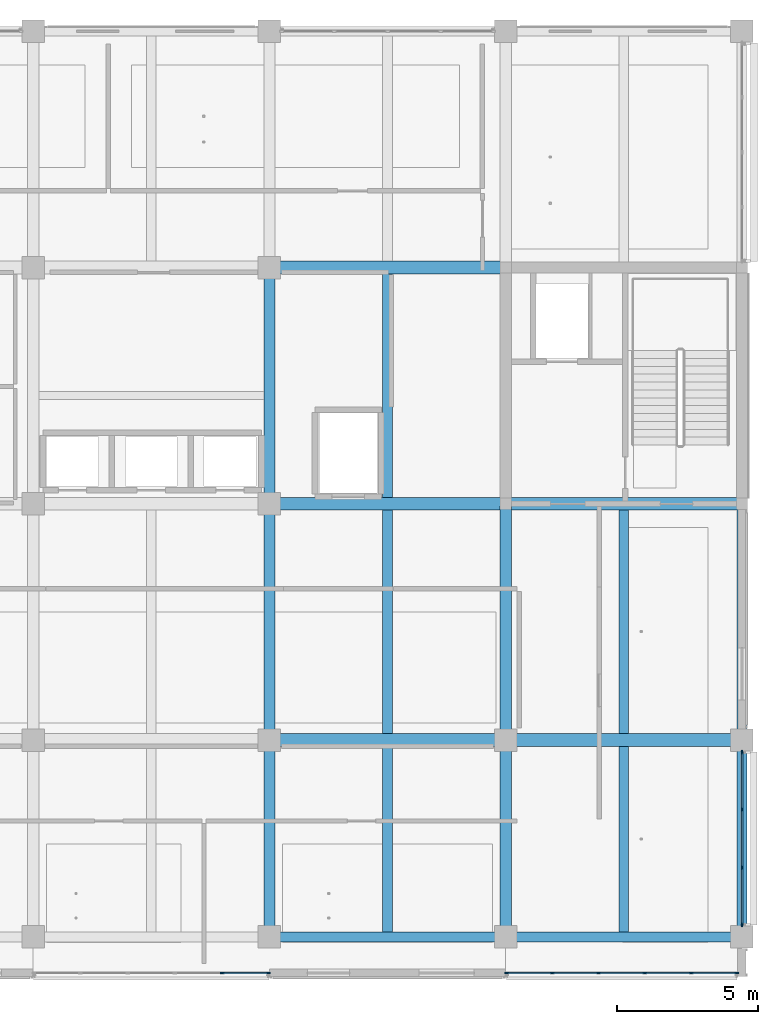
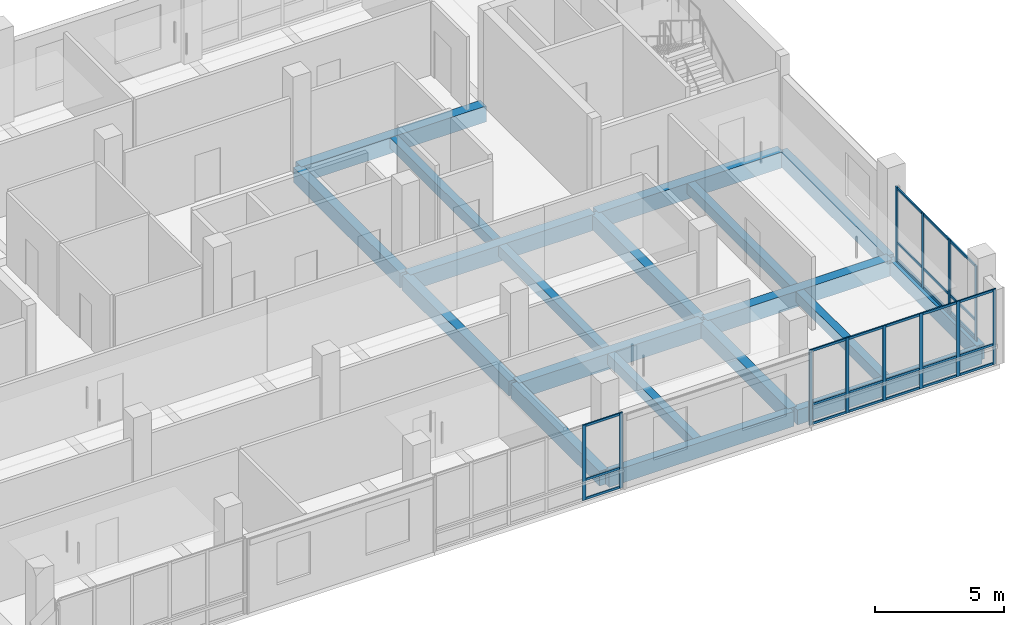
# One storey, part 6 of 34: 39 members, 19 beams, 3 elements without a shape of their own.
"""IFC4 building model written with IfcOpenShell, lengths in metres."""

from ifc_helpers import new_model, si_unit, direction, frame, origin, origin_2d, place, context, subcontext, project, spatial, rectangle, extrude, material, layer, layer_set, material_profile, profile_set, type_object, element, aggregate, save


model = new_model("IFC4")

# Units and contexts
model_context = context("Model", 3, precision=1e-05, world=origin(), true_north=direction((0.0, 1.0)))
body_context = subcontext(model_context, "Body", "Model", "MODEL_VIEW")
ifc_project = project(units=[si_unit("LENGTHUNIT", "METRE"), si_unit("AREAUNIT", "SQUARE_METRE"), si_unit("VOLUMEUNIT", "CUBIC_METRE"), si_unit("PLANEANGLEUNIT", "RADIAN"), si_unit("MASSUNIT", "GRAM", prefix="KILO")], contexts=[model_context])

# Site, building, storey
site_placement = place(None, origin())
site = spatial("IfcSite", under=ifc_project, at=site_placement, CompositionType="ELEMENT")
building_placement = place(site_placement, origin())
building = spatial("IfcBuilding", under=site, at=building_placement, Name="Telukmera Botanical Conservatory", CompositionType="ELEMENT")
storey_placement = place(building_placement, frame((0.0, 0.0, 37.5)))
storey = spatial("IfcBuildingStorey", under=building, at=storey_placement, Name="L08", CompositionType="ELEMENT", Elevation=37.5)

# Beams
ifc_material_1 = material(Name="Concrete C40/50", Category="concrete")
ifc_material_profile_1 = material_profile(ifc_material_1, rectangle(XDim=0.35009765625, YDim=0.5, at=origin_2d()), Name="RC 350x500")
ifc_profile_set_1 = profile_set([ifc_material_profile_1], Name="Concrete C40/50")
beam_type_1 = type_object("IfcBeamType", Name="Beam_B22", PredefinedType="JOIST", material=ifc_profile_set_1)
beam_1_placement = place(storey_placement, frame((88.199951171875, 10.77490234375, -0.25), z_axis=(0.0, 1.0, 0.0), x_axis=(-1.0, 0.0, 0.0)))
element("IfcBeam", 1, at=beam_1_placement, inside=storey, type_object=beam_type_1, Name="Tower Secondary Floor Joist L08", PredefinedType="JOIST", context=body_context, shape_type="SweptSolid", body=[
    extrude(rectangle(XDim=0.35009765625, YDim=0.5, at=origin_2d()), origin(), (0.0, 0.0, 1.0), 6.60009765625),
])
for number, where, z_axis, x_axis, name in (
    (2, (88.199951171875, 17.824951171875, -0.25), (0.0, 1.0, 0.0), (-1.0, 0.0, 0.0), "Tower Secondary Floor Joist L08"),
    (3, (88.199951171875, 26.22509765625, -0.25), (0.0, 1.0, 0.0), (-1.0, 0.0, 0.0), "Tower Secondary Floor Joist L08"),
):
    element("IfcBeam", number, at=place(storey_placement, frame(where, z_axis=z_axis, x_axis=x_axis)), inside=storey, type_object=beam_type_1, Name=name, PredefinedType="JOIST", context=body_context, shape_type="SweptSolid", body=[
        extrude(rectangle(XDim=0.35009765625, YDim=0.5, at=origin_2d()), origin(), (0.0, 0.0, 1.0), 7.949951171875),
    ])
beam_2_placement = place(storey_placement, frame((96.60009765625, 10.77490234375, -0.25), z_axis=(0.0, 1.0, 0.0), x_axis=(-1.0, 0.0, 0.0)))
element("IfcBeam", 4, at=beam_2_placement, inside=storey, type_object=beam_type_1, Name="Tower Secondary Floor Joist L08", PredefinedType="JOIST", context=body_context, shape_type="SweptSolid", body=[
    extrude(rectangle(XDim=0.35009765625, YDim=0.5, at=origin_2d()), origin(), (0.0, 0.0, 1.0), 6.60009765625),
])
beam_3_placement = place(storey_placement, frame((96.60009765625, 17.824951171875, -0.25), z_axis=(0.0, 1.0, 0.0), x_axis=(-1.0, 0.0, 0.0)))
element("IfcBeam", 5, at=beam_3_placement, inside=storey, type_object=beam_type_1, Name="Tower Secondary Floor Joist L08", PredefinedType="JOIST", context=body_context, shape_type="SweptSolid", body=[
    extrude(rectangle(XDim=0.35009765625, YDim=0.5, at=origin_2d()), origin(), (0.0, 0.0, 1.0), 7.949951171875),
])
ifc_material_profile_2 = material_profile(ifc_material_1, rectangle(XDim=0.449951171875, YDim=0.75, at=origin_2d()), Name="RC 450x750")
ifc_profile_set_2 = profile_set([ifc_material_profile_2], Name="Concrete C40/50")
beam_type_2 = type_object("IfcBeamType", Name="Beam_B6", PredefinedType="BEAM", material=ifc_profile_set_2)
for number, where, z_axis, x_axis, name in (
    (6, (84.080078125, 17.60009765625, -0.375), (1.0, 0.0, 0.0), (0.0, 1.0, 0.0), "Tower Grid Beam L08"),
    (7, (92.47998046875, 17.60009765625, -0.375), (1.0, 0.0, 0.0), (0.0, 1.0, 0.0), "Tower Grid Beam L08"),
    (8, (84.080078125, 26.0, -0.375), (1.0, 0.0, 0.0), (0.0, 1.0, 0.0), "Tower Grid Beam L08"),
    (9, (92.47998046875, 26.0, -0.375), (1.0, 0.0, 0.0), (0.0, 1.0, 0.0), "Tower Grid Beam L08"),
    (10, (84.080078125, 34.39990234375, -0.375), (1.0, 0.0, 0.0), (0.0, 1.0, 0.0), "Tower Grid Beam L08"),
):
    element("IfcBeam", number, at=place(storey_placement, frame(where, z_axis=z_axis, x_axis=x_axis)), inside=storey, type_object=beam_type_2, Name=name, PredefinedType="BEAM", context=body_context, shape_type="SweptSolid", body=[
        extrude(rectangle(XDim=0.449951171875, YDim=0.75, at=origin_2d()), origin(), (0.0, 0.0, 1.0), 8.239990234375),
    ])
ifc_material_profile_3 = material_profile(ifc_material_1, rectangle(XDim=0.39990234375, YDim=0.699951171875, at=origin_2d()), Name="RC 400x700")
ifc_profile_set_3 = profile_set([ifc_material_profile_3], Name="Concrete C40/50")
beam_type_3 = type_object("IfcBeamType", Name="Beam_B7", PredefinedType="BEAM", material=ifc_profile_set_3)
beam_4_placement = place(storey_placement, frame((84.0, 10.679931640625, -0.35009765625), z_axis=(0.0, 1.0, 0.0), x_axis=(-1.0, 0.0, 0.0)))
element("IfcBeam", 11, at=beam_4_placement, inside=storey, type_object=beam_type_3, Name="Tower Transverse Beam L08", PredefinedType="BEAM", context=body_context, shape_type="SweptSolid", body=[
    extrude(rectangle(XDim=0.39990234375, YDim=0.699951171875, at=origin_2d()), origin(), (0.0, 0.0, 1.0), 6.840087890625),
])
for number, where, z_axis, x_axis, name in (
    (12, (84.0, 17.679931640625, -0.35009765625), (0.0, 1.0, 0.0), (-1.0, 0.0, 0.0), "Tower Transverse Beam L08"),
    (13, (84.0, 26.080078125, -0.35009765625), (0.0, 1.0, 0.0), (-1.0, 0.0, 0.0), "Tower Transverse Beam L08"),
):
    element("IfcBeam", number, at=place(storey_placement, frame(where, z_axis=z_axis, x_axis=x_axis)), inside=storey, type_object=beam_type_3, Name=name, PredefinedType="BEAM", context=body_context, shape_type="SweptSolid", body=[
        extrude(rectangle(XDim=0.39990234375, YDim=0.699951171875, at=origin_2d()), origin(), (0.0, 0.0, 1.0), 8.239990234375),
    ])
beam_5_placement = place(storey_placement, frame((92.39990234375, 10.679931640625, -0.35009765625), z_axis=(0.0, 1.0, 0.0), x_axis=(-1.0, 0.0, 0.0)))
element("IfcBeam", 14, at=beam_5_placement, inside=storey, type_object=beam_type_3, Name="Tower Transverse Beam L08", PredefinedType="BEAM", context=body_context, shape_type="SweptSolid", body=[
    extrude(rectangle(XDim=0.39990234375, YDim=0.699951171875, at=origin_2d()), origin(), (0.0, 0.0, 1.0), 6.840087890625),
])
beam_6_placement = place(storey_placement, frame((92.39990234375, 17.679931640625, -0.35009765625), z_axis=(0.0, 1.0, 0.0), x_axis=(-1.0, 0.0, 0.0)))
element("IfcBeam", 15, at=beam_6_placement, inside=storey, type_object=beam_type_3, Name="Tower Transverse Beam L08", PredefinedType="BEAM", context=body_context, shape_type="SweptSolid", body=[
    extrude(rectangle(XDim=0.39990234375, YDim=0.699951171875, at=origin_2d()), origin(), (0.0, 0.0, 1.0), 8.239990234375),
])
ifc_material_2 = material(Name="Precast concrete C40/50", Category="concrete")
ifc_material_profile_4 = material_profile(ifc_material_2, rectangle(XDim=0.35009765625, YDim=0.699951171875, at=origin_2d()), Name="PC 350x700")
ifc_profile_set_4 = profile_set([ifc_material_profile_4], Name="Precast concrete C40/50")
beam_type_4 = type_object("IfcBeamType", Name="Beam_SP2", PredefinedType="SPANDREL", material=ifc_profile_set_4)
for number, where, z_axis, x_axis, name in (
    (16, (84.080078125, 10.60009765625, -0.35009765625), (1.0, 0.0, 0.0), (0.0, 1.0, 0.0), "Tower Grid Beam L08"),
    (17, (92.47998046875, 10.60009765625, -0.35009765625), (1.0, 0.0, 0.0), (0.0, 1.0, 0.0), "Tower Grid Beam L08"),
):
    element("IfcBeam", number, at=place(storey_placement, frame(where, z_axis=z_axis, x_axis=x_axis)), inside=storey, type_object=beam_type_4, Name=name, PredefinedType="SPANDREL", context=body_context, shape_type="SweptSolid", body=[
        extrude(rectangle(XDim=0.35009765625, YDim=0.699951171875, at=origin_2d()), origin(), (0.0, 0.0, 1.0), 8.239990234375),
    ])
beam_7_placement = place(storey_placement, frame((100.800048828125, 10.679931640625, -0.35009765625), z_axis=(0.0, 1.0, 0.0), x_axis=(-1.0, 0.0, 0.0)))
element("IfcBeam", 18, at=beam_7_placement, inside=storey, type_object=beam_type_4, Name="Tower Transverse Beam L08", PredefinedType="SPANDREL", context=body_context, shape_type="SweptSolid", body=[
    extrude(rectangle(XDim=0.35009765625, YDim=0.699951171875, at=origin_2d()), origin(), (0.0, 0.0, 1.0), 6.840087890625),
])
beam_8_placement = place(storey_placement, frame((100.800048828125, 17.679931640625, -0.35009765625), z_axis=(0.0, 1.0, 0.0), x_axis=(-1.0, 0.0, 0.0)))
element("IfcBeam", 19, at=beam_8_placement, inside=storey, type_object=beam_type_4, Name="Tower Transverse Beam L08", PredefinedType="SPANDREL", context=body_context, shape_type="SweptSolid", body=[
    extrude(rectangle(XDim=0.35009765625, YDim=0.699951171875, at=origin_2d()), origin(), (0.0, 0.0, 1.0), 8.239990234375),
])

# Curtain wall, members
ifc_material_3 = material(Name="Anodised aluminium 6063-T6", Category="aluminium")
ifc_layer = layer(ifc_material_3, 0.179931640625)
ifc_layer_set = layer_set([ifc_layer], Name="Anodised aluminium 6063-T6")
curtain_wall_type = type_object("IfcCurtainWallType", Name="Tower Research Laboratory Unitised Curtain Wall", PredefinedType="USERDEFINED", material=ifc_layer_set)
curtain_wall_1_placement = place(storey_placement, origin())
curtain_wall_1 = element("IfcCurtainWall", 20, at=curtain_wall_1_placement, inside=storey, type_object=curtain_wall_type, Name="Unitised Curtain Wall CW15 V4:L08:S4", ObjectType="UNITISED CURTAIN WALL", PredefinedType="USERDEFINED")
ifc_material_profile_5 = material_profile(ifc_material_3, rectangle(XDim=0.06005859375, YDim=0.139892578125, at=origin_2d()), Name="ALU MULL 60x140")
ifc_profile_set_5 = profile_set([ifc_material_profile_5], Name="Anodised aluminium 6063-T6")
member_type_1 = type_object("IfcMemberType", Name="Curtain Wall Extruded Mullion 60x140", PredefinedType="MULLION", material=ifc_profile_set_5)
member_1_placement = place(storey_placement, frame((82.31884765625, 9.320068359375, 0.0), z_axis=(0.0, 0.0, 1.0), x_axis=(0.0, 1.0, 0.0)))
member_1 = element("IfcMember", 21, at=member_1_placement, type_object=member_type_1, Name="CW15 mullion 5", PredefinedType="MULLION", context=body_context, shape_type="SweptSolid", body=[
    extrude(rectangle(XDim=0.06005859375, YDim=0.139892578125, at=origin_2d()), origin(), (0.0, 0.0, 1.0), 3.550048828125),
])
member_2_placement = place(storey_placement, frame((83.968017578125, 9.320068359375, 0.0), z_axis=(0.0, 0.0, 1.0), x_axis=(0.0, 1.0, 0.0)))
member_2 = element("IfcMember", 22, at=member_2_placement, type_object=member_type_1, Name="CW15 mullion 6", PredefinedType="MULLION", context=body_context, shape_type="SweptSolid", body=[
    extrude(rectangle(XDim=0.06005859375, YDim=0.139892578125, at=origin_2d()), origin(), (0.0, 0.0, 1.0), 3.550048828125),
])

curtain_wall_2_placement = place(storey_placement, origin())
curtain_wall_2 = element("IfcCurtainWall", 23, at=curtain_wall_2_placement, inside=storey, type_object=curtain_wall_type, Name="Unitised Curtain Wall CW15 V4:L08:S6", ObjectType="UNITISED CURTAIN WALL", PredefinedType="USERDEFINED")
member_3_placement = place(storey_placement, frame((92.431884765625, 9.320068359375, 0.0), z_axis=(0.0, 0.0, 1.0), x_axis=(0.0, 1.0, 0.0)))
member_3 = element("IfcMember", 24, at=member_3_placement, type_object=member_type_1, Name="CW15 mullion 1", PredefinedType="MULLION", context=body_context, shape_type="SweptSolid", body=[
    extrude(rectangle(XDim=0.06005859375, YDim=0.139892578125, at=origin_2d()), origin(), (0.0, 0.0, 1.0), 3.550048828125),
])
member_4_placement = place(storey_placement, frame((94.05126953125, 9.320068359375, 0.0), z_axis=(0.0, 0.0, 1.0), x_axis=(0.0, 1.0, 0.0)))
member_4 = element("IfcMember", 25, at=member_4_placement, type_object=member_type_1, Name="CW15 mullion 2", PredefinedType="MULLION", context=body_context, shape_type="SweptSolid", body=[
    extrude(rectangle(XDim=0.06005859375, YDim=0.139892578125, at=origin_2d()), origin(), (0.0, 0.0, 1.0), 3.550048828125),
])
member_5_placement = place(storey_placement, frame((95.700439453125, 9.320068359375, 0.0), z_axis=(0.0, 0.0, 1.0), x_axis=(0.0, 1.0, 0.0)))
member_5 = element("IfcMember", 26, at=member_5_placement, type_object=member_type_1, Name="CW15 mullion 3", PredefinedType="MULLION", context=body_context, shape_type="SweptSolid", body=[
    extrude(rectangle(XDim=0.06005859375, YDim=0.139892578125, at=origin_2d()), origin(), (0.0, 0.0, 1.0), 3.550048828125),
])
member_6_placement = place(storey_placement, frame((97.349609375, 9.320068359375, 0.0), z_axis=(0.0, 0.0, 1.0), x_axis=(0.0, 1.0, 0.0)))
member_6 = element("IfcMember", 27, at=member_6_placement, type_object=member_type_1, Name="CW15 mullion 4", PredefinedType="MULLION", context=body_context, shape_type="SweptSolid", body=[
    extrude(rectangle(XDim=0.06005859375, YDim=0.139892578125, at=origin_2d()), origin(), (0.0, 0.0, 1.0), 3.550048828125),
])
member_7_placement = place(storey_placement, frame((98.998779296875, 9.320068359375, 0.0), z_axis=(0.0, 0.0, 1.0), x_axis=(0.0, 1.0, 0.0)))
member_7 = element("IfcMember", 28, at=member_7_placement, type_object=member_type_1, Name="CW15 mullion 5", PredefinedType="MULLION", context=body_context, shape_type="SweptSolid", body=[
    extrude(rectangle(XDim=0.06005859375, YDim=0.139892578125, at=origin_2d()), origin(), (0.0, 0.0, 1.0), 3.550048828125),
])
member_8_placement = place(storey_placement, frame((100.617919921875, 9.320068359375, 0.0), z_axis=(0.0, 0.0, 1.0), x_axis=(0.0, 1.0, 0.0)))
member_8 = element("IfcMember", 29, at=member_8_placement, type_object=member_type_1, Name="CW15 mullion 6", PredefinedType="MULLION", context=body_context, shape_type="SweptSolid", body=[
    extrude(rectangle(XDim=0.06005859375, YDim=0.139892578125, at=origin_2d()), origin(), (0.0, 0.0, 1.0), 3.550048828125),
])

curtain_wall_3_placement = place(storey_placement, origin())
curtain_wall_3 = element("IfcCurtainWall", 30, at=curtain_wall_3_placement, inside=storey, type_object=curtain_wall_type, Name="Unitised Curtain Wall CW15 V4:L08:E1", ObjectType="UNITISED CURTAIN WALL", PredefinedType="USERDEFINED")
member_9_placement = place(storey_placement, frame((100.800048828125, 11.031982421875, 0.0), z_axis=(0.0, 0.0, 1.0), x_axis=(-1.0, 0.0, 0.0)))
member_9 = element("IfcMember", 31, at=member_9_placement, type_object=member_type_1, Name="CW15 mullion 1", PredefinedType="MULLION", context=body_context, shape_type="SweptSolid", body=[
    extrude(rectangle(XDim=0.06005859375, YDim=0.139892578125, at=origin_2d()), origin(), (0.0, 0.0, 1.0), 3.550048828125),
])
member_10_placement = place(storey_placement, frame((100.800048828125, 13.0673828125, 0.0), z_axis=(0.0, 0.0, 1.0), x_axis=(-1.0, 0.0, 0.0)))
member_10 = element("IfcMember", 32, at=member_10_placement, type_object=member_type_1, Name="CW15 mullion 2", PredefinedType="MULLION", context=body_context, shape_type="SweptSolid", body=[
    extrude(rectangle(XDim=0.06005859375, YDim=0.139892578125, at=origin_2d()), origin(), (0.0, 0.0, 1.0), 3.550048828125),
])
member_11_placement = place(storey_placement, frame((100.800048828125, 15.132568359375, 0.0), z_axis=(0.0, 0.0, 1.0), x_axis=(-1.0, 0.0, 0.0)))
member_11 = element("IfcMember", 33, at=member_11_placement, type_object=member_type_1, Name="CW15 mullion 3", PredefinedType="MULLION", context=body_context, shape_type="SweptSolid", body=[
    extrude(rectangle(XDim=0.06005859375, YDim=0.139892578125, at=origin_2d()), origin(), (0.0, 0.0, 1.0), 3.550048828125),
])
member_12_placement = place(storey_placement, frame((100.800048828125, 17.16796875, 0.0), z_axis=(0.0, 0.0, 1.0), x_axis=(-1.0, 0.0, 0.0)))
member_12 = element("IfcMember", 34, at=member_12_placement, type_object=member_type_1, Name="CW15 mullion 4", PredefinedType="MULLION", context=body_context, shape_type="SweptSolid", body=[
    extrude(rectangle(XDim=0.06005859375, YDim=0.139892578125, at=origin_2d()), origin(), (0.0, 0.0, 1.0), 3.550048828125),
])

# Member
ifc_material_profile_6 = material_profile(ifc_material_3, rectangle(XDim=0.06005859375, YDim=0.110107421875, at=origin_2d()), Name="ALU TRAN 60x110")
ifc_profile_set_6 = profile_set([ifc_material_profile_6], Name="Anodised aluminium 6063-T6")
member_type_2 = type_object("IfcMemberType", Name="Curtain Wall Extruded Transom 60x110", PredefinedType="USERDEFINED", material=ifc_profile_set_6)
member_13_placement = place(storey_placement, frame((82.348876953125, 9.320068359375, 0.054931640625), z_axis=(1.0, 0.0, 0.0), x_axis=(0.0, 1.0, 0.0)))
member_13 = element("IfcMember", 35, at=member_13_placement, type_object=member_type_2, Name="CW15 transom 5.1", ObjectType="TRANSOM", PredefinedType="USERDEFINED", context=body_context, shape_type="SweptSolid", body=[
    extrude(rectangle(XDim=0.06005859375, YDim=0.110107421875, at=origin_2d()), origin(), (0.0, 0.0, 1.0), 1.589111328125),
])

member_14_placement = place(storey_placement, frame((82.348876953125, 9.320068359375, 0.949951171875), z_axis=(1.0, 0.0, 0.0), x_axis=(0.0, 1.0, 0.0)))
member_14 = element("IfcMember", 36, at=member_14_placement, type_object=member_type_2, Name="CW15 transom 5.2", ObjectType="TRANSOM", PredefinedType="USERDEFINED", context=body_context, shape_type="SweptSolid", body=[
    extrude(rectangle(XDim=0.06005859375, YDim=0.110107421875, at=origin_2d()), origin(), (0.0, 0.0, 1.0), 1.589111328125),
])

member_15_placement = place(storey_placement, frame((82.348876953125, 9.320068359375, 3.4951171875), z_axis=(1.0, 0.0, 0.0), x_axis=(0.0, 1.0, 0.0)))
member_15 = element("IfcMember", 37, at=member_15_placement, type_object=member_type_2, Name="CW15 transom 5.3", ObjectType="TRANSOM", PredefinedType="USERDEFINED", context=body_context, shape_type="SweptSolid", body=[
    extrude(rectangle(XDim=0.06005859375, YDim=0.110107421875, at=origin_2d()), origin(), (0.0, 0.0, 1.0), 1.589111328125),
])

aggregate(curtain_wall_1, [member_1, member_2, member_13, member_14, member_15])

member_16_placement = place(storey_placement, frame((92.4619140625, 9.320068359375, 0.054931640625), z_axis=(1.0, 0.0, 0.0), x_axis=(0.0, 1.0, 0.0)))
member_16 = element("IfcMember", 38, at=member_16_placement, type_object=member_type_2, Name="CW15 transom 1.1", ObjectType="TRANSOM", PredefinedType="USERDEFINED", context=body_context, shape_type="SweptSolid", body=[
    extrude(rectangle(XDim=0.06005859375, YDim=0.110107421875, at=origin_2d()), origin(), (0.0, 0.0, 1.0), 1.559326171875),
])

member_17_placement = place(storey_placement, frame((92.4619140625, 9.320068359375, 0.949951171875), z_axis=(1.0, 0.0, 0.0), x_axis=(0.0, 1.0, 0.0)))
member_17 = element("IfcMember", 39, at=member_17_placement, type_object=member_type_2, Name="CW15 transom 1.2", ObjectType="TRANSOM", PredefinedType="USERDEFINED", context=body_context, shape_type="SweptSolid", body=[
    extrude(rectangle(XDim=0.06005859375, YDim=0.110107421875, at=origin_2d()), origin(), (0.0, 0.0, 1.0), 1.559326171875),
])

member_18_placement = place(storey_placement, frame((92.4619140625, 9.320068359375, 3.4951171875), z_axis=(1.0, 0.0, 0.0), x_axis=(0.0, 1.0, 0.0)))
member_18 = element("IfcMember", 40, at=member_18_placement, type_object=member_type_2, Name="CW15 transom 1.3", ObjectType="TRANSOM", PredefinedType="USERDEFINED", context=body_context, shape_type="SweptSolid", body=[
    extrude(rectangle(XDim=0.06005859375, YDim=0.110107421875, at=origin_2d()), origin(), (0.0, 0.0, 1.0), 1.559326171875),
])

member_19_placement = place(storey_placement, frame((94.081298828125, 9.320068359375, 0.054931640625), z_axis=(1.0, 0.0, 0.0), x_axis=(0.0, 1.0, 0.0)))
member_19 = element("IfcMember", 41, at=member_19_placement, type_object=member_type_2, Name="CW15 transom 2.1", ObjectType="TRANSOM", PredefinedType="USERDEFINED", context=body_context, shape_type="SweptSolid", body=[
    extrude(rectangle(XDim=0.06005859375, YDim=0.110107421875, at=origin_2d()), origin(), (0.0, 0.0, 1.0), 1.589111328125),
])

member_20_placement = place(storey_placement, frame((94.081298828125, 9.320068359375, 0.949951171875), z_axis=(1.0, 0.0, 0.0), x_axis=(0.0, 1.0, 0.0)))
member_20 = element("IfcMember", 42, at=member_20_placement, type_object=member_type_2, Name="CW15 transom 2.2", ObjectType="TRANSOM", PredefinedType="USERDEFINED", context=body_context, shape_type="SweptSolid", body=[
    extrude(rectangle(XDim=0.06005859375, YDim=0.110107421875, at=origin_2d()), origin(), (0.0, 0.0, 1.0), 1.589111328125),
])

member_21_placement = place(storey_placement, frame((94.081298828125, 9.320068359375, 3.4951171875), z_axis=(1.0, 0.0, 0.0), x_axis=(0.0, 1.0, 0.0)))
member_21 = element("IfcMember", 43, at=member_21_placement, type_object=member_type_2, Name="CW15 transom 2.3", ObjectType="TRANSOM", PredefinedType="USERDEFINED", context=body_context, shape_type="SweptSolid", body=[
    extrude(rectangle(XDim=0.06005859375, YDim=0.110107421875, at=origin_2d()), origin(), (0.0, 0.0, 1.0), 1.589111328125),
])

member_22_placement = place(storey_placement, frame((95.73046875, 9.320068359375, 0.054931640625), z_axis=(1.0, 0.0, 0.0), x_axis=(0.0, 1.0, 0.0)))
member_22 = element("IfcMember", 44, at=member_22_placement, type_object=member_type_2, Name="CW15 transom 3.1", ObjectType="TRANSOM", PredefinedType="USERDEFINED", context=body_context, shape_type="SweptSolid", body=[
    extrude(rectangle(XDim=0.06005859375, YDim=0.110107421875, at=origin_2d()), origin(), (0.0, 0.0, 1.0), 1.589111328125),
])

member_23_placement = place(storey_placement, frame((95.73046875, 9.320068359375, 0.949951171875), z_axis=(1.0, 0.0, 0.0), x_axis=(0.0, 1.0, 0.0)))
member_23 = element("IfcMember", 45, at=member_23_placement, type_object=member_type_2, Name="CW15 transom 3.2", ObjectType="TRANSOM", PredefinedType="USERDEFINED", context=body_context, shape_type="SweptSolid", body=[
    extrude(rectangle(XDim=0.06005859375, YDim=0.110107421875, at=origin_2d()), origin(), (0.0, 0.0, 1.0), 1.589111328125),
])

member_24_placement = place(storey_placement, frame((95.73046875, 9.320068359375, 3.4951171875), z_axis=(1.0, 0.0, 0.0), x_axis=(0.0, 1.0, 0.0)))
member_24 = element("IfcMember", 46, at=member_24_placement, type_object=member_type_2, Name="CW15 transom 3.3", ObjectType="TRANSOM", PredefinedType="USERDEFINED", context=body_context, shape_type="SweptSolid", body=[
    extrude(rectangle(XDim=0.06005859375, YDim=0.110107421875, at=origin_2d()), origin(), (0.0, 0.0, 1.0), 1.589111328125),
])

member_25_placement = place(storey_placement, frame((97.379638671875, 9.320068359375, 0.054931640625), z_axis=(1.0, 0.0, 0.0), x_axis=(0.0, 1.0, 0.0)))
member_25 = element("IfcMember", 47, at=member_25_placement, type_object=member_type_2, Name="CW15 transom 4.1", ObjectType="TRANSOM", PredefinedType="USERDEFINED", context=body_context, shape_type="SweptSolid", body=[
    extrude(rectangle(XDim=0.06005859375, YDim=0.110107421875, at=origin_2d()), origin(), (0.0, 0.0, 1.0), 1.589111328125),
])

member_26_placement = place(storey_placement, frame((97.379638671875, 9.320068359375, 0.949951171875), z_axis=(1.0, 0.0, 0.0), x_axis=(0.0, 1.0, 0.0)))
member_26 = element("IfcMember", 48, at=member_26_placement, type_object=member_type_2, Name="CW15 transom 4.2", ObjectType="TRANSOM", PredefinedType="USERDEFINED", context=body_context, shape_type="SweptSolid", body=[
    extrude(rectangle(XDim=0.06005859375, YDim=0.110107421875, at=origin_2d()), origin(), (0.0, 0.0, 1.0), 1.589111328125),
])

member_27_placement = place(storey_placement, frame((97.379638671875, 9.320068359375, 3.4951171875), z_axis=(1.0, 0.0, 0.0), x_axis=(0.0, 1.0, 0.0)))
member_27 = element("IfcMember", 49, at=member_27_placement, type_object=member_type_2, Name="CW15 transom 4.3", ObjectType="TRANSOM", PredefinedType="USERDEFINED", context=body_context, shape_type="SweptSolid", body=[
    extrude(rectangle(XDim=0.06005859375, YDim=0.110107421875, at=origin_2d()), origin(), (0.0, 0.0, 1.0), 1.589111328125),
])

member_28_placement = place(storey_placement, frame((99.02880859375, 9.320068359375, 0.054931640625), z_axis=(1.0, 0.0, 0.0), x_axis=(0.0, 1.0, 0.0)))
member_28 = element("IfcMember", 50, at=member_28_placement, type_object=member_type_2, Name="CW15 transom 5.1", ObjectType="TRANSOM", PredefinedType="USERDEFINED", context=body_context, shape_type="SweptSolid", body=[
    extrude(rectangle(XDim=0.06005859375, YDim=0.110107421875, at=origin_2d()), origin(), (0.0, 0.0, 1.0), 1.55908203125),
])

member_29_placement = place(storey_placement, frame((99.02880859375, 9.320068359375, 0.949951171875), z_axis=(1.0, 0.0, 0.0), x_axis=(0.0, 1.0, 0.0)))
member_29 = element("IfcMember", 51, at=member_29_placement, type_object=member_type_2, Name="CW15 transom 5.2", ObjectType="TRANSOM", PredefinedType="USERDEFINED", context=body_context, shape_type="SweptSolid", body=[
    extrude(rectangle(XDim=0.06005859375, YDim=0.110107421875, at=origin_2d()), origin(), (0.0, 0.0, 1.0), 1.55908203125),
])

member_30_placement = place(storey_placement, frame((99.02880859375, 9.320068359375, 3.4951171875), z_axis=(1.0, 0.0, 0.0), x_axis=(0.0, 1.0, 0.0)))
member_30 = element("IfcMember", 52, at=member_30_placement, type_object=member_type_2, Name="CW15 transom 5.3", ObjectType="TRANSOM", PredefinedType="USERDEFINED", context=body_context, shape_type="SweptSolid", body=[
    extrude(rectangle(XDim=0.06005859375, YDim=0.110107421875, at=origin_2d()), origin(), (0.0, 0.0, 1.0), 1.55908203125),
])

aggregate(curtain_wall_2, [member_3, member_4, member_5, member_6, member_7, member_8, member_16, member_17, member_18, member_19, member_20, member_21, member_22, member_23, member_24, member_25, member_26, member_27, member_28, member_29, member_30])

member_31_placement = place(storey_placement, frame((100.800048828125, 11.06201171875, 0.054931640625), z_axis=(0.0, 1.0, 0.0), x_axis=(-1.0, 0.0, 0.0)))
member_31 = element("IfcMember", 53, at=member_31_placement, type_object=member_type_2, Name="CW15 transom 1.1", ObjectType="TRANSOM", PredefinedType="USERDEFINED", context=body_context, shape_type="SweptSolid", body=[
    extrude(rectangle(XDim=0.06005859375, YDim=0.110107421875, at=origin_2d()), origin(), (0.0, 0.0, 1.0), 1.975341796875),
])

member_32_placement = place(storey_placement, frame((100.800048828125, 11.06201171875, 0.949951171875), z_axis=(0.0, 1.0, 0.0), x_axis=(-1.0, 0.0, 0.0)))
member_32 = element("IfcMember", 54, at=member_32_placement, type_object=member_type_2, Name="CW15 transom 1.2", ObjectType="TRANSOM", PredefinedType="USERDEFINED", context=body_context, shape_type="SweptSolid", body=[
    extrude(rectangle(XDim=0.06005859375, YDim=0.110107421875, at=origin_2d()), origin(), (0.0, 0.0, 1.0), 1.975341796875),
])

member_33_placement = place(storey_placement, frame((100.800048828125, 11.06201171875, 3.4951171875), z_axis=(0.0, 1.0, 0.0), x_axis=(-1.0, 0.0, 0.0)))
member_33 = element("IfcMember", 55, at=member_33_placement, type_object=member_type_2, Name="CW15 transom 1.3", ObjectType="TRANSOM", PredefinedType="USERDEFINED", context=body_context, shape_type="SweptSolid", body=[
    extrude(rectangle(XDim=0.06005859375, YDim=0.110107421875, at=origin_2d()), origin(), (0.0, 0.0, 1.0), 1.975341796875),
])

member_34_placement = place(storey_placement, frame((100.800048828125, 13.097412109375, 0.054931640625), z_axis=(0.0, 1.0, 0.0), x_axis=(-1.0, 0.0, 0.0)))
member_34 = element("IfcMember", 56, at=member_34_placement, type_object=member_type_2, Name="CW15 transom 2.1", ObjectType="TRANSOM", PredefinedType="USERDEFINED", context=body_context, shape_type="SweptSolid", body=[
    extrude(rectangle(XDim=0.06005859375, YDim=0.110107421875, at=origin_2d()), origin(), (0.0, 0.0, 1.0), 2.00537109375),
])

member_35_placement = place(storey_placement, frame((100.800048828125, 13.097412109375, 0.949951171875), z_axis=(0.0, 1.0, 0.0), x_axis=(-1.0, 0.0, 0.0)))
member_35 = element("IfcMember", 57, at=member_35_placement, type_object=member_type_2, Name="CW15 transom 2.2", ObjectType="TRANSOM", PredefinedType="USERDEFINED", context=body_context, shape_type="SweptSolid", body=[
    extrude(rectangle(XDim=0.06005859375, YDim=0.110107421875, at=origin_2d()), origin(), (0.0, 0.0, 1.0), 2.00537109375),
])

member_36_placement = place(storey_placement, frame((100.800048828125, 13.097412109375, 3.4951171875), z_axis=(0.0, 1.0, 0.0), x_axis=(-1.0, 0.0, 0.0)))
member_36 = element("IfcMember", 58, at=member_36_placement, type_object=member_type_2, Name="CW15 transom 2.3", ObjectType="TRANSOM", PredefinedType="USERDEFINED", context=body_context, shape_type="SweptSolid", body=[
    extrude(rectangle(XDim=0.06005859375, YDim=0.110107421875, at=origin_2d()), origin(), (0.0, 0.0, 1.0), 2.00537109375),
])

member_37_placement = place(storey_placement, frame((100.800048828125, 15.16259765625, 0.054931640625), z_axis=(0.0, 1.0, 0.0), x_axis=(-1.0, 0.0, 0.0)))
member_37 = element("IfcMember", 59, at=member_37_placement, type_object=member_type_2, Name="CW15 transom 3.1", ObjectType="TRANSOM", PredefinedType="USERDEFINED", context=body_context, shape_type="SweptSolid", body=[
    extrude(rectangle(XDim=0.06005859375, YDim=0.110107421875, at=origin_2d()), origin(), (0.0, 0.0, 1.0), 1.975341796875),
])

member_38_placement = place(storey_placement, frame((100.800048828125, 15.16259765625, 0.949951171875), z_axis=(0.0, 1.0, 0.0), x_axis=(-1.0, 0.0, 0.0)))
member_38 = element("IfcMember", 60, at=member_38_placement, type_object=member_type_2, Name="CW15 transom 3.2", ObjectType="TRANSOM", PredefinedType="USERDEFINED", context=body_context, shape_type="SweptSolid", body=[
    extrude(rectangle(XDim=0.06005859375, YDim=0.110107421875, at=origin_2d()), origin(), (0.0, 0.0, 1.0), 1.975341796875),
])

member_39_placement = place(storey_placement, frame((100.800048828125, 15.16259765625, 3.4951171875), z_axis=(0.0, 1.0, 0.0), x_axis=(-1.0, 0.0, 0.0)))
member_39 = element("IfcMember", 61, at=member_39_placement, type_object=member_type_2, Name="CW15 transom 3.3", ObjectType="TRANSOM", PredefinedType="USERDEFINED", context=body_context, shape_type="SweptSolid", body=[
    extrude(rectangle(XDim=0.06005859375, YDim=0.110107421875, at=origin_2d()), origin(), (0.0, 0.0, 1.0), 1.975341796875),
])

aggregate(curtain_wall_3, [member_9, member_10, member_11, member_12, member_31, member_32, member_33, member_34, member_35, member_36, member_37, member_38, member_39])

save(model, "model.ifc")
